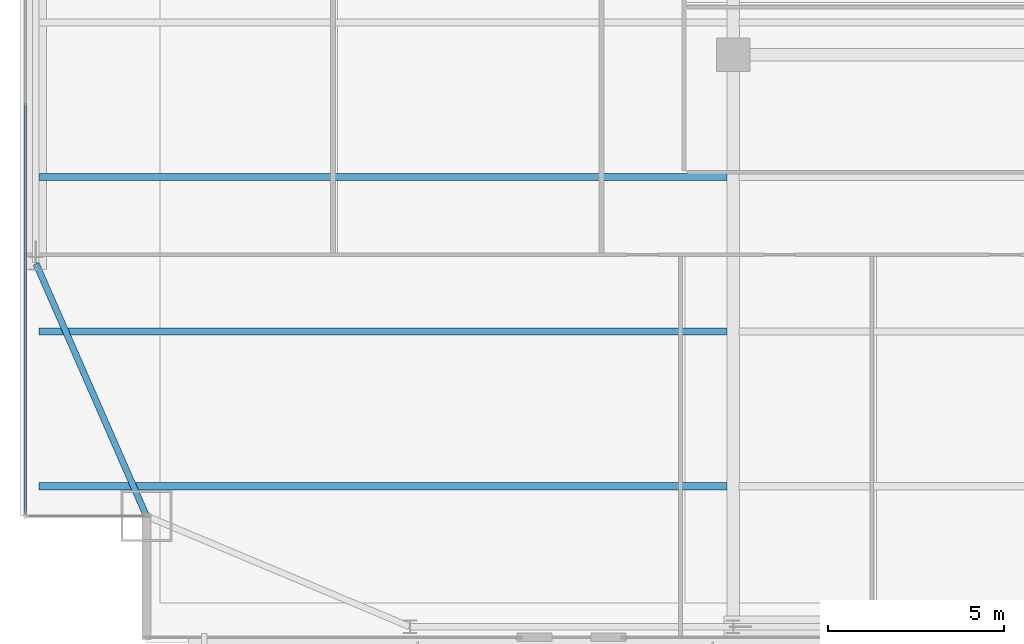
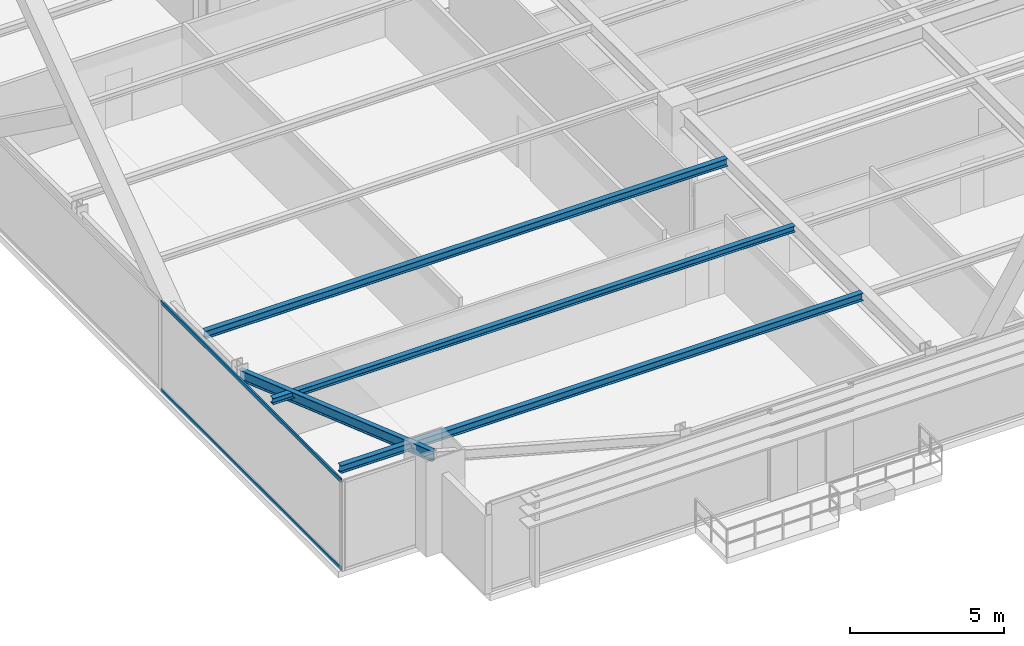
# One storey, part 5 of 37: 4 beams, 2 members, 1 element without a shape of its own.
"""IFC4 building model written with IfcOpenShell, lengths in metres."""

import ifcopenshell
import ifcopenshell.guid

model = None  # the IFC model being written
_history = None  # IfcOwnerHistory: only IFC2X3 demands one
_inside = {}  # id of a spatial element -> (the spatial element, [elements in it])
_under = {}  # id of a project, library or spatial element -> (it, [spatial elements below it])
_declared = {}  # id of a project -> (the project, [libraries it declares])
_typed = {}  # id of a type object -> (the type object, [elements of that type])
_made_of = {}  # id of a material, layer set ... -> (it, [elements and type objects made of it])


def new_model(schema):
    """Start an empty IFC model of exactly this schema.

    Asked for "IFC4X3", IfcOpenShell would pick the latest addendum, in which some entities
    have other attributes; the version numbers below select the first issue.
    IFC2X3 requires an IfcOwnerHistory on every rooted entity: one is made here for all.
    """
    global model, _history
    if schema == "IFC4X3":
        model = ifcopenshell.file(schema_version=(4, 3, 0, 0))
    else:
        model = ifcopenshell.file(schema=schema)
    _inside.clear()
    _under.clear()
    _declared.clear()
    _typed.clear()
    _made_of.clear()
    _history = None
    if model.schema == "IFC2X3":
        org = make("IfcOrganization", Name="unknown")
        user = make(
            "IfcPersonAndOrganization",
            ThePerson=make("IfcPerson", FamilyName="unknown"),
            TheOrganization=org,
        )
        app = make(
            "IfcApplication",
            ApplicationDeveloper=org,
            Version="unknown",
            ApplicationFullName="unknown",
            ApplicationIdentifier="unknown",
        )
        _history = make(
            "IfcOwnerHistory",
            OwningUser=user,
            OwningApplication=app,
            ChangeAction="ADDED",
            CreationDate=0,
        )
    return model


def make(cls, **values):
    """One entity of the class cls with the attributes given. An attribute that is None is left unset."""
    return model.create_entity(
        cls, **{name: value for name, value in values.items() if value is not None}
    )


def rooted(cls, **values):
    """An entity with a GlobalId (a new one), such as an element, a storey or a relation."""
    return make(cls, GlobalId=ifcopenshell.guid.new(), OwnerHistory=_history, **values)


def si_unit(unit_type, name, prefix=None):
    """IfcSIUnit, for example si_unit("LENGTHUNIT", "METRE", prefix="MILLI")."""
    return make("IfcSIUnit", UnitType=unit_type, Prefix=prefix, Name=name)


def assignment(units):
    """IfcUnitAssignment: the units of a project."""
    return None if units is None else make("IfcUnitAssignment", Units=units)


def point(xyz):
    """IfcCartesianPoint."""
    return None if xyz is None else make("IfcCartesianPoint", Coordinates=xyz)


def direction(xyz):
    """IfcDirection."""
    return None if xyz is None else make("IfcDirection", DirectionRatios=xyz)


def frame(location, z_axis=None, x_axis=None):
    """IfcAxis2Placement3D, a coordinate frame: its origin and axes. An axis left out is left unset."""
    return make(
        "IfcAxis2Placement3D",
        Location=point(location),
        Axis=direction(z_axis),
        RefDirection=direction(x_axis),
    )


def frame_2d(location, x_axis=None):
    """IfcAxis2Placement2D, a coordinate frame in the plane: its origin and x axis."""
    return make(
        "IfcAxis2Placement2D", Location=point(location), RefDirection=direction(x_axis)
    )


def origin():
    """The frame at (0, 0, 0) with its axes left unset."""
    return frame((0.0, 0.0, 0.0))


def origin_2d():
    """The frame at (0, 0) in the plane with its x axis left unset."""
    return frame_2d((0.0, 0.0))


def place(relative_to, where):
    """IfcLocalPlacement: puts the frame where relative to a parent placement (None: the world)."""
    return make(
        "IfcLocalPlacement", PlacementRelTo=relative_to, RelativePlacement=where
    )


def context(
    kind, dimensions, precision=None, world=None, true_north=None, identifier=None
):
    """IfcGeometricRepresentationContext, for example the 3D "Model" context."""
    return make(
        "IfcGeometricRepresentationContext",
        ContextIdentifier=identifier,
        ContextType=kind,
        CoordinateSpaceDimension=dimensions,
        Precision=precision,
        WorldCoordinateSystem=world,
        TrueNorth=true_north,
    )


def subcontext(parent, identifier, kind, view, scale=None):
    """IfcGeometricRepresentationSubContext, for example "Body" below "Model"."""
    return make(
        "IfcGeometricRepresentationSubContext",
        ContextIdentifier=identifier,
        ContextType=kind,
        ParentContext=parent,
        TargetScale=scale,
        TargetView=view,
    )


def project(units=None, contexts=None):
    """IfcProject with its units and contexts."""
    return rooted(
        "IfcProject",
        Name="project",
        RepresentationContexts=contexts,
        UnitsInContext=assignment(units),
    )


def spatial(cls, under=None, at=None, **own):
    """A site, building, storey or space (cls), placed at a placement, below another one or the project."""
    s = rooted(cls, ObjectPlacement=at, **own)
    if under is not None:
        _under.setdefault(under.id(), (under, []))[1].append(s)
    return s


def profile(cls, at=None, kind="AREA", **sizes):
    """A parametric profile (cls). Its sizes go by their IFC names, for example OverallWidth=200.0."""
    return make(cls, ProfileType=kind, Position=at, **sizes)


def hollow_rectangle(**sizes):
    """IfcRectangleHollowProfileDef."""
    return profile("IfcRectangleHollowProfileDef", **sizes)


def i_section(**sizes):
    """IfcIShapeProfileDef."""
    return profile("IfcIShapeProfileDef", **sizes)


def extrude(swept, where, along, depth):
    """IfcExtrudedAreaSolid: the profile swept, set in the frame where, extruded along a direction by depth."""
    return make(
        "IfcExtrudedAreaSolid",
        SweptArea=swept,
        Position=where,
        ExtrudedDirection=direction(along),
        Depth=depth,
    )


def shape(context_of_items, identifier, shape_type, items):
    """IfcShapeRepresentation: the items that make up one representation, for example the "Body"."""
    return make(
        "IfcShapeRepresentation",
        ContextOfItems=context_of_items,
        RepresentationIdentifier=identifier,
        RepresentationType=shape_type,
        Items=items,
    )


def source(mapping_origin, context_of_items, identifier, shape_type, items):
    """IfcRepresentationMap: a shape defined once, which mapped items show again and again."""
    return make(
        "IfcRepresentationMap",
        MappingOrigin=mapping_origin,
        MappedRepresentation=shape(context_of_items, identifier, shape_type, items),
    )


def transform(
    local_origin,
    x_axis=None,
    y_axis=None,
    z_axis=None,
    scale=None,
    scale2=None,
    scale3=None,
    uniform=True,
):
    """IfcCartesianTransformationOperator3D, or its non-uniform kind. x_axis, y_axis, z_axis: its Axis1, 2, 3."""
    if uniform:
        return make(
            "IfcCartesianTransformationOperator3D",
            Axis1=direction(x_axis),
            Axis2=direction(y_axis),
            LocalOrigin=point(local_origin),
            Scale=scale,
            Axis3=direction(z_axis),
        )
    return make(
        "IfcCartesianTransformationOperator3DnonUniform",
        Axis1=direction(x_axis),
        Axis2=direction(y_axis),
        LocalOrigin=point(local_origin),
        Scale=scale,
        Axis3=direction(z_axis),
        Scale2=scale2,
        Scale3=scale3,
    )


def mapped(mapping_source, mapping_target):
    """IfcMappedItem: shows the shape of a source again, moved by a transform."""
    return make(
        "IfcMappedItem", MappingSource=mapping_source, MappingTarget=mapping_target
    )


def material(Name=None, Category=None):
    """IfcMaterial."""
    return make("IfcMaterial", Name=Name, Category=Category)


def layer(
    of_material, thickness, ventilated=None, Name=None, Category=None, Priority=None
):
    """IfcMaterialLayer: one layer of a wall or slab, of a material (None: an air gap)."""
    return make(
        "IfcMaterialLayer",
        Material=of_material,
        LayerThickness=thickness,
        IsVentilated=ventilated,
        Name=Name,
        Category=Category,
        Priority=Priority,
    )


def layer_set(layers, Name=None):
    """IfcMaterialLayerSet."""
    return make("IfcMaterialLayerSet", MaterialLayers=layers, LayerSetName=Name)


def material_profile(
    of_material, cross_section, Name=None, Category=None, Priority=None
):
    """IfcMaterialProfile: a cross section and its material."""
    return make(
        "IfcMaterialProfile",
        Name=Name,
        Material=of_material,
        Profile=cross_section,
        Priority=Priority,
        Category=Category,
    )


def profile_set(profiles, Name=None, composite=None):
    """IfcMaterialProfileSet."""
    return make(
        "IfcMaterialProfileSet",
        Name=Name,
        MaterialProfiles=profiles,
        CompositeProfile=composite,
    )


def made_of(thing, what):
    """Note that an element or type object is made of a material, layer set ...; save() writes the relation."""
    if what is not None:
        _made_of.setdefault(what.id(), (what, []))[1].append(thing)
    return thing


def type_object(cls, material=None, **own):
    """A type object (cls), such as IfcWallType, which elements share."""
    return made_of(rooted(cls, **own), material)


def type_shapes(of_type, sources):
    """Give a type object the sources (RepresentationMaps) that its elements show as mapped items."""
    of_type.RepresentationMaps = sources


def element(
    cls,
    number,
    at=None,
    inside=None,
    cuts=None,
    type_object=None,
    material=None,
    context=None,
    identifier="Body",
    shape_type=None,
    held_by="IfcProductDefinitionShape",
    body=None,
    shapes=None,
    **own,
):
    """One element of the class cls, such as IfcWall. Its Tag is "e" and its number.

    at: its placement. inside: the storey or other place that contains it. cuts: it is an
    opening in that element (IfcRelVoidsElement). A single representation is given by context,
    identifier, shape_type and body (its items); several are given by shapes. held_by: the class
    of the entity that holds the representations. save() writes the other relations.
    """
    e = rooted(cls, Tag="e%d" % number, ObjectPlacement=at, **own)
    if body is not None:
        shapes = [shape(context, identifier, shape_type, body)]
    if shapes is not None:
        e.Representation = make(held_by, Representations=shapes)
    if inside is not None:
        _inside.setdefault(inside.id(), (inside, []))[1].append(e)
    if cuts is not None:
        rooted(
            "IfcRelVoidsElement", RelatingBuildingElement=cuts, RelatedOpeningElement=e
        )
    if type_object is not None:
        _typed.setdefault(type_object.id(), (type_object, []))[1].append(e)
    return made_of(e, material)


def aggregate(whole, parts):
    """IfcRelAggregates: a whole, such as a stair, and the parts it consists of."""
    return rooted("IfcRelAggregates", RelatingObject=whole, RelatedObjects=parts)


def save(model, path):
    """Write the relations noted so far, then the file.

    IfcRelAggregates (storeys below a building ...), IfcRelContainedInSpatialStructure (elements
    in a storey), IfcRelDefinesByType, IfcRelAssociatesMaterial and IfcRelDeclares: one each for
    every whole, place, type object, material and project.
    """
    for whole, parts in _under.values():
        aggregate(whole, parts)
    for where, things in _inside.values():
        rooted(
            "IfcRelContainedInSpatialStructure",
            RelatedElements=things,
            RelatingStructure=where,
        )
    for kind, things in _typed.values():
        rooted("IfcRelDefinesByType", RelatedObjects=things, RelatingType=kind)
    for what, things in _made_of.values():
        rooted("IfcRelAssociatesMaterial", RelatedObjects=things, RelatingMaterial=what)
    for by, libraries in _declared.values():
        rooted("IfcRelDeclares", RelatingContext=by, RelatedDefinitions=libraries)
    model.write(path)


model = new_model("IFC4")

# Units and contexts
model_context = context("Model", 3, precision=1e-05, world=origin(), true_north=direction((0.0, 1.0)))
body_context = subcontext(model_context, "Body", "Model", "MODEL_VIEW")
ifc_project = project(units=[si_unit("LENGTHUNIT", "METRE"), si_unit("AREAUNIT", "SQUARE_METRE"), si_unit("VOLUMEUNIT", "CUBIC_METRE"), si_unit("PLANEANGLEUNIT", "RADIAN"), si_unit("MASSUNIT", "GRAM", prefix="KILO")], contexts=[model_context])

# Site, building, storey
site_placement = place(None, origin())
site = spatial("IfcSite", under=ifc_project, at=site_placement, CompositionType="ELEMENT")
building_placement = place(site_placement, origin())
building = spatial("IfcBuilding", under=site, at=building_placement, Name="Varnel Quay Broadcast Tower", CompositionType="ELEMENT")
storey_placement = place(building_placement, frame((0.0, 0.0, 103.0)))
storey = spatial("IfcBuildingStorey", under=building, at=storey_placement, Name="L24", CompositionType="ELEMENT", Elevation=103.0)

# Beams
ifc_material_1 = material(Name="Structural Steel CSA G40.21 350W", Category="steel")
ifc_material_profile_1 = material_profile(ifc_material_1, i_section(OverallWidth=0.180908203125, OverallDepth=0.4169921875, WebThickness=0.010986328125, FlangeThickness=0.018310546875, FilletRadius=0.011962890625, at=origin_2d()), Name="W410X85")
ifc_profile_set_1 = profile_set([ifc_material_profile_1], Name="Structural Steel CSA G40.21 350W")
beam_type_1 = type_object("IfcBeamType", Name="Beam_W410X85", PredefinedType="SPANDREL", material=ifc_profile_set_1)
shared_shape_1 = source(origin(), body_context, "Body", "SweptSolid", [
    extrude(i_section(OverallWidth=0.180908203125, OverallDepth=0.4169921875, WebThickness=0.010986328125, FlangeThickness=0.018310546875, FilletRadius=0.011962890625, at=origin_2d()), origin(), (0.0, 0.0, 1.0), 7.81884765625),
])
type_shapes(beam_type_1, [shared_shape_1])
beam_1_placement = place(storey_placement, frame((8.092041015625, 7.818359375, 3.341552734375), z_axis=(-0.400827023998, 0.916153751743, 0.0), x_axis=(-0.916153751743, -0.400827023998, 0.0)))
element("IfcBeam", 1, at=beam_1_placement, inside=storey, type_object=beam_type_1, Name="L24 West Spandrel MC-SW-TC-W1", PredefinedType="SPANDREL", context=body_context, shape_type="MappedRepresentation", body=[
    mapped(shared_shape_1, transform((0.0, 0.0, 0.0), x_axis=(1.0, 0.0, 0.0), y_axis=(0.0, 1.0, 0.0), z_axis=(0.0, 0.0, 1.0), scale=1.0)),
])
ifc_material_profile_2 = material_profile(ifc_material_1, i_section(OverallWidth=0.202880859375, OverallDepth=0.302978515625, WebThickness=0.007568359375, FlangeThickness=0.01318359375, FilletRadius=0.011962890625, at=origin_2d()), Name="W310X60")
ifc_profile_set_2 = profile_set([ifc_material_profile_2], Name="Structural Steel CSA G40.21 350W")
beam_type_2 = type_object("IfcBeamType", Name="Beam_W310X60", PredefinedType="JOIST", material=ifc_profile_set_2)
shared_shape_2 = source(origin(), body_context, "Body", "SweptSolid", [
    extrude(i_section(OverallWidth=0.202880859375, OverallDepth=0.302978515625, WebThickness=0.007568359375, FlangeThickness=0.01318359375, FilletRadius=0.011962890625, at=origin_2d()), origin(), (0.0, 0.0, 1.0), 19.592041015625),
])
type_shapes(beam_type_2, [shared_shape_2])
for number, where, z_axis, x_axis, name in (
    (2, (5.035400390625, 8.64990234375, 3.3984375), (1.0, 0.0, 0.0), (0.0, 1.0, 0.0), "L24 West Floor Joist 1"),
    (3, (5.035400390625, 17.449951171875, 3.3984375), (1.0, 0.0, 0.0), (0.0, 1.0, 0.0), "L24 West Floor Joist 3"),
):
    element("IfcBeam", number, at=place(storey_placement, frame(where, z_axis=z_axis, x_axis=x_axis)), inside=storey, type_object=beam_type_2, Name=name, PredefinedType="JOIST", context=body_context, shape_type="MappedRepresentation", body=[
        mapped(shared_shape_2, transform((0.0, 0.0, 0.0), x_axis=(1.0, 0.0, 0.0), y_axis=(0.0, 1.0, 0.0), z_axis=(0.0, 0.0, 1.0), scale=1.0)),
    ])
ifc_material_profile_3 = material_profile(ifc_material_1, i_section(OverallWidth=0.201904296875, OverallDepth=0.2470703125, WebThickness=0.00732421875, FlangeThickness=0.010986328125, FilletRadius=0.010986328125, at=origin_2d()), Name="W250X49")
ifc_profile_set_3 = profile_set([ifc_material_profile_3], Name="Structural Steel CSA G40.21 350W")
beam_type_3 = type_object("IfcBeamType", Name="Beam_W250X49", PredefinedType="JOIST", material=ifc_profile_set_3)
shared_shape_3 = source(origin(), body_context, "Body", "SweptSolid", [
    extrude(i_section(OverallWidth=0.201904296875, OverallDepth=0.2470703125, WebThickness=0.00732421875, FlangeThickness=0.010986328125, FilletRadius=0.010986328125, at=origin_2d()), origin(), (0.0, 0.0, 1.0), 19.592041015625),
])
type_shapes(beam_type_3, [shared_shape_3])
beam_2_placement = place(storey_placement, frame((5.035400390625, 13.050048828125, 3.426513671875), z_axis=(1.0, 0.0, 0.0), x_axis=(0.0, 1.0, 0.0)))
element("IfcBeam", 4, at=beam_2_placement, inside=storey, type_object=beam_type_3, Name="L24 West Floor Joist 2", PredefinedType="JOIST", context=body_context, shape_type="MappedRepresentation", body=[
    mapped(shared_shape_3, transform((0.0, 0.0, 0.0), x_axis=(1.0, 0.0, 0.0), y_axis=(0.0, 1.0, 0.0), z_axis=(0.0, 0.0, 1.0), scale=1.0)),
])

# Curtain wall, members
ifc_material_2 = material(Name="Anodised Bronze Aluminium 6063-T6", Category="aluminium")
ifc_layer = layer(ifc_material_2, 0.18994140625, Name="Anodised Bronze Aluminium 6063-T6")
ifc_layer_set = layer_set([ifc_layer], Name="Anodised Bronze Aluminium 6063-T6")
curtain_wall_type = type_object("IfcCurtainWallType", Name="CW_LowerTower", PredefinedType="NOTDEFINED", material=ifc_layer_set)
curtain_wall_placement = place(storey_placement, origin())
curtain_wall = element("IfcCurtainWall", 5, at=curtain_wall_placement, inside=storey, type_object=curtain_wall_type, Name="L24 West Unitised Curtain Wall", PredefinedType="NOTDEFINED")
ifc_material_profile_4 = material_profile(ifc_material_2, hollow_rectangle(XDim=0.06005859375, YDim=0.14501953125, WallThickness=0.00341796875, at=origin_2d()), Name="ALU60X145X3.5")
ifc_profile_set_4 = profile_set([ifc_material_profile_4], Name="Anodised Bronze Aluminium 6063-T6")
member_type = type_object("IfcMemberType", Name="Tran_CWS-02", PredefinedType="USERDEFINED", material=ifc_profile_set_4)
shared_shape_4 = source(origin(), body_context, "Body", "SweptSolid", [
    extrude(hollow_rectangle(XDim=0.06005859375, YDim=0.14501953125, WallThickness=0.00341796875, at=origin_2d()), origin(), (0.0, 0.0, 1.0), 11.69482421875),
])
type_shapes(member_type, [shared_shape_4])
member_1_placement = place(storey_placement, frame((4.64990234375, 7.8701171875, 0.030029296875), z_axis=(0.0, 1.0, 0.0), x_axis=(-1.0, 0.0, 0.0)))
member_1 = element("IfcMember", 6, at=member_1_placement, type_object=member_type, Name="CWS-02 transom 1.1", ObjectType="TRANSOM", PredefinedType="USERDEFINED", context=body_context, shape_type="MappedRepresentation", body=[
    mapped(shared_shape_4, transform((0.0, 0.0, 0.0), x_axis=(1.0, 0.0, 0.0), y_axis=(0.0, 1.0, 0.0), z_axis=(0.0, 0.0, 1.0), scale=1.0)),
])
member_2_placement = place(storey_placement, frame((4.64990234375, 7.8701171875, 3.52001953125), z_axis=(0.0, 1.0, 0.0), x_axis=(-1.0, 0.0, 0.0)))
member_2 = element("IfcMember", 7, at=member_2_placement, type_object=member_type, Name="CWS-02 transom 1.2", ObjectType="TRANSOM", PredefinedType="USERDEFINED", context=body_context, shape_type="MappedRepresentation", body=[
    mapped(shared_shape_4, transform((0.0, 0.0, 0.0), x_axis=(1.0, 0.0, 0.0), y_axis=(0.0, 1.0, 0.0), z_axis=(0.0, 0.0, 1.0), scale=1.0)),
])
aggregate(curtain_wall, [member_1, member_2])

save(model, "model.ifc")
